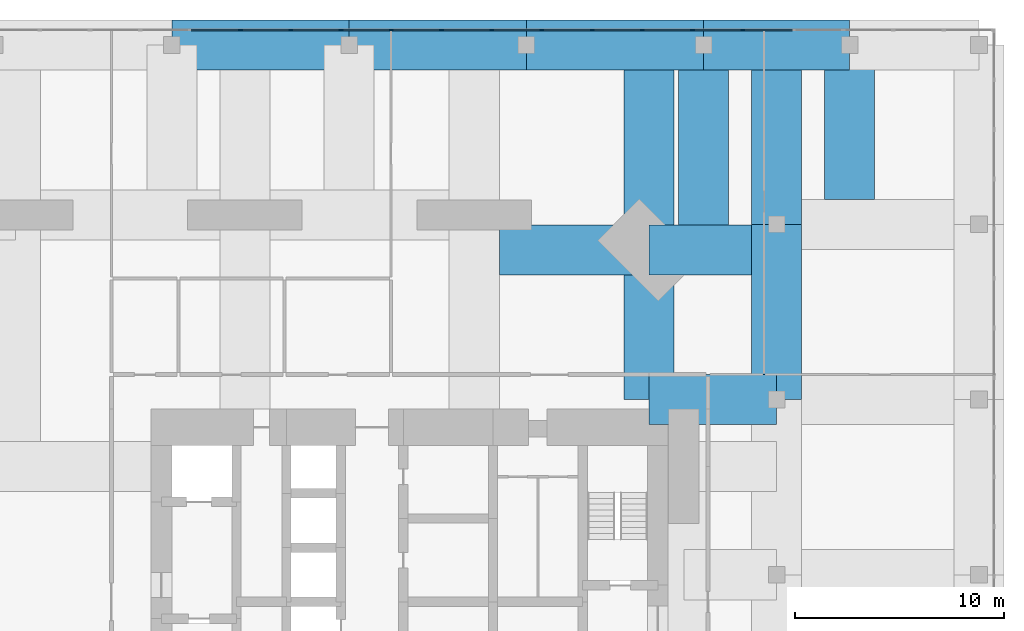
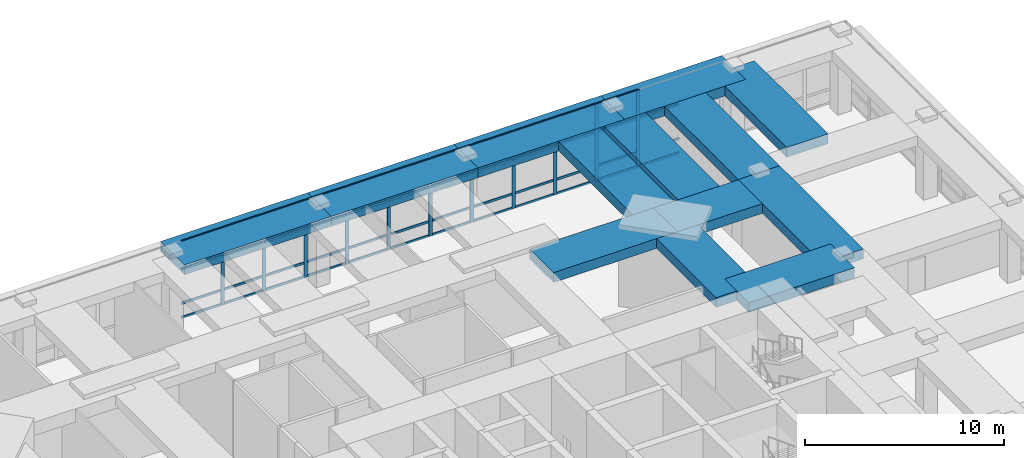
# One storey, part 9 of 22: 58 members, 13 beams, 1 element without a shape of its own.
"""IFC4 building model written with IfcOpenShell, lengths in metres."""

from ifc_helpers import new_model, si_unit, direction, frame, origin, origin_2d, place, context, subcontext, project, spatial, rectangle, extrude, material, material_profile, profile_set, type_object, element, aggregate, save


model = new_model("IFC4")

# Units and contexts
model_context = context("Model", 3, precision=1e-05, world=origin(), true_north=direction((0.0, 1.0)))
body_context = subcontext(model_context, "Body", "Model", "MODEL_VIEW")
ifc_project = project(units=[si_unit("LENGTHUNIT", "METRE"), si_unit("AREAUNIT", "SQUARE_METRE"), si_unit("VOLUMEUNIT", "CUBIC_METRE"), si_unit("PLANEANGLEUNIT", "RADIAN"), si_unit("MASSUNIT", "GRAM", prefix="KILO")], contexts=[model_context])

# Site, building, storey
site_placement = place(None, origin())
site = spatial("IfcSite", under=ifc_project, at=site_placement, CompositionType="ELEMENT")
building_placement = place(site_placement, origin())
building = spatial("IfcBuilding", under=site, at=building_placement, Name="Jalousie Tower", CompositionType="ELEMENT")
storey_placement = place(building_placement, frame((0.0, 0.0, 6.0)))
storey = spatial("IfcBuildingStorey", under=building, at=storey_placement, Name="L01", CompositionType="ELEMENT", Elevation=6.0)

# Curtain wall, members
ifc_material_1 = material(Name="Aluminium curtain wall", Category="aluminium")
curtain_wall_type = type_object("IfcCurtainWallType", Name="PODIUM WINDOW WALL", PredefinedType="USERDEFINED", material=ifc_material_1)
curtain_wall_placement = place(storey_placement, origin())
curtain_wall = element("IfcCurtainWall", 1, at=curtain_wall_placement, inside=storey, type_object=curtain_wall_type, Name="Podium Window Wall L01 21", ObjectType="PODIUM WINDOW WALL", PredefinedType="USERDEFINED")
ifc_material_2 = material(Name="Aluminium mullion", Category="aluminium")
ifc_material_profile_1 = material_profile(ifc_material_2, rectangle(XDim=0.070068359375, YDim=0.199951171875, at=origin_2d()), Name="MULLION 70x200")
ifc_profile_set_1 = profile_set([ifc_material_profile_1], Name="Aluminium mullion")
member_type_1 = type_object("IfcMemberType", Name="PODIUM WINDOW WALL MULLION", PredefinedType="MULLION", material=ifc_profile_set_1)
member_1_placement = place(storey_placement, frame((47.873779296875, 45.91259765625, 0.0), z_axis=(0.0, 0.0, 1.0), x_axis=(0.0, -1.0, 0.0)))
member_1 = element("IfcMember", 2, at=member_1_placement, type_object=member_type_1, Name="CW-P mullion 6", PredefinedType="MULLION", context=body_context, shape_type="SweptSolid", body=[
    extrude(rectangle(XDim=0.070068359375, YDim=0.199951171875, at=origin_2d()), origin(), (0.0, 0.0, 1.0), 4.719970703125),
])
member_2_placement = place(storey_placement, frame((45.466064453125, 45.91259765625, 0.0), z_axis=(0.0, 0.0, 1.0), x_axis=(0.0, -1.0, 0.0)))
member_2 = element("IfcMember", 3, at=member_2_placement, type_object=member_type_1, Name="CW-P mullion 7", PredefinedType="MULLION", context=body_context, shape_type="SweptSolid", body=[
    extrude(rectangle(XDim=0.070068359375, YDim=0.199951171875, at=origin_2d()), origin(), (0.0, 0.0, 1.0), 4.719970703125),
])
member_3_placement = place(storey_placement, frame((43.05810546875, 45.91259765625, 0.0), z_axis=(0.0, 0.0, 1.0), x_axis=(0.0, -1.0, 0.0)))
member_3 = element("IfcMember", 4, at=member_3_placement, type_object=member_type_1, Name="CW-P mullion 8", PredefinedType="MULLION", context=body_context, shape_type="SweptSolid", body=[
    extrude(rectangle(XDim=0.070068359375, YDim=0.199951171875, at=origin_2d()), origin(), (0.0, 0.0, 1.0), 4.719970703125),
])
member_4_placement = place(storey_placement, frame((40.650390625, 45.91259765625, 0.0), z_axis=(0.0, 0.0, 1.0), x_axis=(0.0, -1.0, 0.0)))
member_4 = element("IfcMember", 5, at=member_4_placement, type_object=member_type_1, Name="CW-P mullion 9", PredefinedType="MULLION", context=body_context, shape_type="SweptSolid", body=[
    extrude(rectangle(XDim=0.070068359375, YDim=0.199951171875, at=origin_2d()), origin(), (0.0, 0.0, 1.0), 4.719970703125),
])
member_5_placement = place(storey_placement, frame((38.24267578125, 45.91259765625, 0.0), z_axis=(0.0, 0.0, 1.0), x_axis=(0.0, -1.0, 0.0)))
member_5 = element("IfcMember", 6, at=member_5_placement, type_object=member_type_1, Name="CW-P mullion 10", PredefinedType="MULLION", context=body_context, shape_type="SweptSolid", body=[
    extrude(rectangle(XDim=0.070068359375, YDim=0.199951171875, at=origin_2d()), origin(), (0.0, 0.0, 1.0), 4.719970703125),
])
member_6_placement = place(storey_placement, frame((35.8349609375, 45.91259765625, 0.0), z_axis=(0.0, 0.0, 1.0), x_axis=(0.0, -1.0, 0.0)))
member_6 = element("IfcMember", 7, at=member_6_placement, type_object=member_type_1, Name="CW-P mullion 11", PredefinedType="MULLION", context=body_context, shape_type="SweptSolid", body=[
    extrude(rectangle(XDim=0.070068359375, YDim=0.199951171875, at=origin_2d()), origin(), (0.0, 0.0, 1.0), 4.719970703125),
])
member_7_placement = place(storey_placement, frame((33.42724609375, 45.91259765625, 0.0), z_axis=(0.0, 0.0, 1.0), x_axis=(0.0, -1.0, 0.0)))
member_7 = element("IfcMember", 8, at=member_7_placement, type_object=member_type_1, Name="CW-P mullion 12", PredefinedType="MULLION", context=body_context, shape_type="SweptSolid", body=[
    extrude(rectangle(XDim=0.070068359375, YDim=0.199951171875, at=origin_2d()), origin(), (0.0, 0.0, 1.0), 4.719970703125),
])
member_8_placement = place(storey_placement, frame((31.019287109375, 45.91259765625, 0.0), z_axis=(0.0, 0.0, 1.0), x_axis=(0.0, -1.0, 0.0)))
member_8 = element("IfcMember", 9, at=member_8_placement, type_object=member_type_1, Name="CW-P mullion 13", PredefinedType="MULLION", context=body_context, shape_type="SweptSolid", body=[
    extrude(rectangle(XDim=0.070068359375, YDim=0.199951171875, at=origin_2d()), origin(), (0.0, 0.0, 1.0), 4.719970703125),
])
member_9_placement = place(storey_placement, frame((28.611572265625, 45.91259765625, 0.0), z_axis=(0.0, 0.0, 1.0), x_axis=(0.0, -1.0, 0.0)))
member_9 = element("IfcMember", 10, at=member_9_placement, type_object=member_type_1, Name="CW-P mullion 14", PredefinedType="MULLION", context=body_context, shape_type="SweptSolid", body=[
    extrude(rectangle(XDim=0.070068359375, YDim=0.199951171875, at=origin_2d()), origin(), (0.0, 0.0, 1.0), 4.719970703125),
])
member_10_placement = place(storey_placement, frame((26.203857421875, 45.91259765625, 0.0), z_axis=(0.0, 0.0, 1.0), x_axis=(0.0, -1.0, 0.0)))
member_10 = element("IfcMember", 11, at=member_10_placement, type_object=member_type_1, Name="CW-P mullion 15", PredefinedType="MULLION", context=body_context, shape_type="SweptSolid", body=[
    extrude(rectangle(XDim=0.070068359375, YDim=0.199951171875, at=origin_2d()), origin(), (0.0, 0.0, 1.0), 4.719970703125),
])
member_11_placement = place(storey_placement, frame((23.796142578125, 45.91259765625, 0.0), z_axis=(0.0, 0.0, 1.0), x_axis=(0.0, -1.0, 0.0)))
member_11 = element("IfcMember", 12, at=member_11_placement, type_object=member_type_1, Name="CW-P mullion 16", PredefinedType="MULLION", context=body_context, shape_type="SweptSolid", body=[
    extrude(rectangle(XDim=0.070068359375, YDim=0.199951171875, at=origin_2d()), origin(), (0.0, 0.0, 1.0), 4.719970703125),
])
ifc_material_3 = material(Name="Aluminium transom", Category="aluminium")
ifc_material_profile_2 = material_profile(ifc_material_3, rectangle(XDim=0.070068359375, YDim=0.139892578125, at=origin_2d()), Name="TRANSOM 70x140")
ifc_profile_set_2 = profile_set([ifc_material_profile_2], Name="Aluminium transom")
member_type_2 = type_object("IfcMemberType", Name="PODIUM WINDOW WALL TRANSOM", PredefinedType="USERDEFINED", material=ifc_profile_set_2)
member_12_placement = place(storey_placement, frame((50.24658203125, 45.91259765625, 0.034912109375), z_axis=(-1.0, 0.0, 0.0), x_axis=(0.0, -1.0, 0.0)))
member_12 = element("IfcMember", 13, at=member_12_placement, type_object=member_type_2, Name="CW-P transom 5.1", ObjectType="TRANSOM", PredefinedType="USERDEFINED", context=body_context, shape_type="SweptSolid", body=[
    extrude(rectangle(XDim=0.070068359375, YDim=0.139892578125, at=origin_2d()), origin(), (0.0, 0.0, 1.0), 2.337890625),
])
member_13_placement = place(storey_placement, frame((50.24658203125, 45.91259765625, 0.89990234375), z_axis=(-1.0, 0.0, 0.0), x_axis=(0.0, -1.0, 0.0)))
member_13 = element("IfcMember", 14, at=member_13_placement, type_object=member_type_2, Name="CW-P transom 5.2", ObjectType="TRANSOM", PredefinedType="USERDEFINED", context=body_context, shape_type="SweptSolid", body=[
    extrude(rectangle(XDim=0.070068359375, YDim=0.139892578125, at=origin_2d()), origin(), (0.0, 0.0, 1.0), 2.337890625),
])
member_14_placement = place(storey_placement, frame((50.24658203125, 45.91259765625, 3.0), z_axis=(-1.0, 0.0, 0.0), x_axis=(0.0, -1.0, 0.0)))
member_14 = element("IfcMember", 15, at=member_14_placement, type_object=member_type_2, Name="CW-P transom 5.3", ObjectType="TRANSOM", PredefinedType="USERDEFINED", context=body_context, shape_type="SweptSolid", body=[
    extrude(rectangle(XDim=0.070068359375, YDim=0.139892578125, at=origin_2d()), origin(), (0.0, 0.0, 1.0), 2.337890625),
])
member_15_placement = place(storey_placement, frame((47.838623046875, 45.91259765625, 0.034912109375), z_axis=(-1.0, 0.0, 0.0), x_axis=(0.0, -1.0, 0.0)))
member_15 = element("IfcMember", 16, at=member_15_placement, type_object=member_type_2, Name="CW-P transom 6.1", ObjectType="TRANSOM", PredefinedType="USERDEFINED", context=body_context, shape_type="SweptSolid", body=[
    extrude(rectangle(XDim=0.070068359375, YDim=0.139892578125, at=origin_2d()), origin(), (0.0, 0.0, 1.0), 2.337646484375),
])
member_16_placement = place(storey_placement, frame((47.838623046875, 45.91259765625, 0.89990234375), z_axis=(-1.0, 0.0, 0.0), x_axis=(0.0, -1.0, 0.0)))
member_16 = element("IfcMember", 17, at=member_16_placement, type_object=member_type_2, Name="CW-P transom 6.2", ObjectType="TRANSOM", PredefinedType="USERDEFINED", context=body_context, shape_type="SweptSolid", body=[
    extrude(rectangle(XDim=0.070068359375, YDim=0.139892578125, at=origin_2d()), origin(), (0.0, 0.0, 1.0), 2.337646484375),
])
member_17_placement = place(storey_placement, frame((47.838623046875, 45.91259765625, 3.0), z_axis=(-1.0, 0.0, 0.0), x_axis=(0.0, -1.0, 0.0)))
member_17 = element("IfcMember", 18, at=member_17_placement, type_object=member_type_2, Name="CW-P transom 6.3", ObjectType="TRANSOM", PredefinedType="USERDEFINED", context=body_context, shape_type="SweptSolid", body=[
    extrude(rectangle(XDim=0.070068359375, YDim=0.139892578125, at=origin_2d()), origin(), (0.0, 0.0, 1.0), 2.337646484375),
])
member_18_placement = place(storey_placement, frame((47.838623046875, 45.91259765625, 4.68505859375), z_axis=(-1.0, 0.0, 0.0), x_axis=(0.0, -1.0, 0.0)))
member_18 = element("IfcMember", 19, at=member_18_placement, type_object=member_type_2, Name="CW-P transom 6.4", ObjectType="TRANSOM", PredefinedType="USERDEFINED", context=body_context, shape_type="SweptSolid", body=[
    extrude(rectangle(XDim=0.070068359375, YDim=0.139892578125, at=origin_2d()), origin(), (0.0, 0.0, 1.0), 2.337646484375),
])
member_19_placement = place(storey_placement, frame((45.430908203125, 45.91259765625, 0.034912109375), z_axis=(-1.0, 0.0, 0.0), x_axis=(0.0, -1.0, 0.0)))
member_19 = element("IfcMember", 20, at=member_19_placement, type_object=member_type_2, Name="CW-P transom 7.1", ObjectType="TRANSOM", PredefinedType="USERDEFINED", context=body_context, shape_type="SweptSolid", body=[
    extrude(rectangle(XDim=0.070068359375, YDim=0.139892578125, at=origin_2d()), origin(), (0.0, 0.0, 1.0), 2.337646484375),
])
member_20_placement = place(storey_placement, frame((45.430908203125, 45.91259765625, 0.89990234375), z_axis=(-1.0, 0.0, 0.0), x_axis=(0.0, -1.0, 0.0)))
member_20 = element("IfcMember", 21, at=member_20_placement, type_object=member_type_2, Name="CW-P transom 7.2", ObjectType="TRANSOM", PredefinedType="USERDEFINED", context=body_context, shape_type="SweptSolid", body=[
    extrude(rectangle(XDim=0.070068359375, YDim=0.139892578125, at=origin_2d()), origin(), (0.0, 0.0, 1.0), 2.337646484375),
])
member_21_placement = place(storey_placement, frame((45.430908203125, 45.91259765625, 3.0), z_axis=(-1.0, 0.0, 0.0), x_axis=(0.0, -1.0, 0.0)))
member_21 = element("IfcMember", 22, at=member_21_placement, type_object=member_type_2, Name="CW-P transom 7.3", ObjectType="TRANSOM", PredefinedType="USERDEFINED", context=body_context, shape_type="SweptSolid", body=[
    extrude(rectangle(XDim=0.070068359375, YDim=0.139892578125, at=origin_2d()), origin(), (0.0, 0.0, 1.0), 2.337646484375),
])
member_22_placement = place(storey_placement, frame((45.430908203125, 45.91259765625, 4.68505859375), z_axis=(-1.0, 0.0, 0.0), x_axis=(0.0, -1.0, 0.0)))
member_22 = element("IfcMember", 23, at=member_22_placement, type_object=member_type_2, Name="CW-P transom 7.4", ObjectType="TRANSOM", PredefinedType="USERDEFINED", context=body_context, shape_type="SweptSolid", body=[
    extrude(rectangle(XDim=0.070068359375, YDim=0.139892578125, at=origin_2d()), origin(), (0.0, 0.0, 1.0), 2.337646484375),
])
member_23_placement = place(storey_placement, frame((43.023193359375, 45.91259765625, 0.034912109375), z_axis=(-1.0, 0.0, 0.0), x_axis=(0.0, -1.0, 0.0)))
member_23 = element("IfcMember", 24, at=member_23_placement, type_object=member_type_2, Name="CW-P transom 8.1", ObjectType="TRANSOM", PredefinedType="USERDEFINED", context=body_context, shape_type="SweptSolid", body=[
    extrude(rectangle(XDim=0.070068359375, YDim=0.139892578125, at=origin_2d()), origin(), (0.0, 0.0, 1.0), 2.337646484375),
])
member_24_placement = place(storey_placement, frame((43.023193359375, 45.91259765625, 0.89990234375), z_axis=(-1.0, 0.0, 0.0), x_axis=(0.0, -1.0, 0.0)))
member_24 = element("IfcMember", 25, at=member_24_placement, type_object=member_type_2, Name="CW-P transom 8.2", ObjectType="TRANSOM", PredefinedType="USERDEFINED", context=body_context, shape_type="SweptSolid", body=[
    extrude(rectangle(XDim=0.070068359375, YDim=0.139892578125, at=origin_2d()), origin(), (0.0, 0.0, 1.0), 2.337646484375),
])
member_25_placement = place(storey_placement, frame((43.023193359375, 45.91259765625, 3.0), z_axis=(-1.0, 0.0, 0.0), x_axis=(0.0, -1.0, 0.0)))
member_25 = element("IfcMember", 26, at=member_25_placement, type_object=member_type_2, Name="CW-P transom 8.3", ObjectType="TRANSOM", PredefinedType="USERDEFINED", context=body_context, shape_type="SweptSolid", body=[
    extrude(rectangle(XDim=0.070068359375, YDim=0.139892578125, at=origin_2d()), origin(), (0.0, 0.0, 1.0), 2.337646484375),
])
member_26_placement = place(storey_placement, frame((43.023193359375, 45.91259765625, 4.68505859375), z_axis=(-1.0, 0.0, 0.0), x_axis=(0.0, -1.0, 0.0)))
member_26 = element("IfcMember", 27, at=member_26_placement, type_object=member_type_2, Name="CW-P transom 8.4", ObjectType="TRANSOM", PredefinedType="USERDEFINED", context=body_context, shape_type="SweptSolid", body=[
    extrude(rectangle(XDim=0.070068359375, YDim=0.139892578125, at=origin_2d()), origin(), (0.0, 0.0, 1.0), 2.337646484375),
])
member_27_placement = place(storey_placement, frame((40.615478515625, 45.91259765625, 0.034912109375), z_axis=(-1.0, 0.0, 0.0), x_axis=(0.0, -1.0, 0.0)))
member_27 = element("IfcMember", 28, at=member_27_placement, type_object=member_type_2, Name="CW-P transom 9.1", ObjectType="TRANSOM", PredefinedType="USERDEFINED", context=body_context, shape_type="SweptSolid", body=[
    extrude(rectangle(XDim=0.070068359375, YDim=0.139892578125, at=origin_2d()), origin(), (0.0, 0.0, 1.0), 2.337890625),
])
member_28_placement = place(storey_placement, frame((40.615478515625, 45.91259765625, 0.89990234375), z_axis=(-1.0, 0.0, 0.0), x_axis=(0.0, -1.0, 0.0)))
member_28 = element("IfcMember", 29, at=member_28_placement, type_object=member_type_2, Name="CW-P transom 9.2", ObjectType="TRANSOM", PredefinedType="USERDEFINED", context=body_context, shape_type="SweptSolid", body=[
    extrude(rectangle(XDim=0.070068359375, YDim=0.139892578125, at=origin_2d()), origin(), (0.0, 0.0, 1.0), 2.337890625),
])
member_29_placement = place(storey_placement, frame((40.615478515625, 45.91259765625, 3.0), z_axis=(-1.0, 0.0, 0.0), x_axis=(0.0, -1.0, 0.0)))
member_29 = element("IfcMember", 30, at=member_29_placement, type_object=member_type_2, Name="CW-P transom 9.3", ObjectType="TRANSOM", PredefinedType="USERDEFINED", context=body_context, shape_type="SweptSolid", body=[
    extrude(rectangle(XDim=0.070068359375, YDim=0.139892578125, at=origin_2d()), origin(), (0.0, 0.0, 1.0), 2.337890625),
])
member_30_placement = place(storey_placement, frame((40.615478515625, 45.91259765625, 4.68505859375), z_axis=(-1.0, 0.0, 0.0), x_axis=(0.0, -1.0, 0.0)))
member_30 = element("IfcMember", 31, at=member_30_placement, type_object=member_type_2, Name="CW-P transom 9.4", ObjectType="TRANSOM", PredefinedType="USERDEFINED", context=body_context, shape_type="SweptSolid", body=[
    extrude(rectangle(XDim=0.070068359375, YDim=0.139892578125, at=origin_2d()), origin(), (0.0, 0.0, 1.0), 2.337890625),
])
member_31_placement = place(storey_placement, frame((38.207763671875, 45.91259765625, 0.034912109375), z_axis=(-1.0, 0.0, 0.0), x_axis=(0.0, -1.0, 0.0)))
member_31 = element("IfcMember", 32, at=member_31_placement, type_object=member_type_2, Name="CW-P transom 10.1", ObjectType="TRANSOM", PredefinedType="USERDEFINED", context=body_context, shape_type="SweptSolid", body=[
    extrude(rectangle(XDim=0.070068359375, YDim=0.139892578125, at=origin_2d()), origin(), (0.0, 0.0, 1.0), 2.337890625),
])
member_32_placement = place(storey_placement, frame((38.207763671875, 45.91259765625, 0.89990234375), z_axis=(-1.0, 0.0, 0.0), x_axis=(0.0, -1.0, 0.0)))
member_32 = element("IfcMember", 33, at=member_32_placement, type_object=member_type_2, Name="CW-P transom 10.2", ObjectType="TRANSOM", PredefinedType="USERDEFINED", context=body_context, shape_type="SweptSolid", body=[
    extrude(rectangle(XDim=0.070068359375, YDim=0.139892578125, at=origin_2d()), origin(), (0.0, 0.0, 1.0), 2.337890625),
])
member_33_placement = place(storey_placement, frame((38.207763671875, 45.91259765625, 3.0), z_axis=(-1.0, 0.0, 0.0), x_axis=(0.0, -1.0, 0.0)))
member_33 = element("IfcMember", 34, at=member_33_placement, type_object=member_type_2, Name="CW-P transom 10.3", ObjectType="TRANSOM", PredefinedType="USERDEFINED", context=body_context, shape_type="SweptSolid", body=[
    extrude(rectangle(XDim=0.070068359375, YDim=0.139892578125, at=origin_2d()), origin(), (0.0, 0.0, 1.0), 2.337890625),
])
member_34_placement = place(storey_placement, frame((38.207763671875, 45.91259765625, 4.68505859375), z_axis=(-1.0, 0.0, 0.0), x_axis=(0.0, -1.0, 0.0)))
member_34 = element("IfcMember", 35, at=member_34_placement, type_object=member_type_2, Name="CW-P transom 10.4", ObjectType="TRANSOM", PredefinedType="USERDEFINED", context=body_context, shape_type="SweptSolid", body=[
    extrude(rectangle(XDim=0.070068359375, YDim=0.139892578125, at=origin_2d()), origin(), (0.0, 0.0, 1.0), 2.337890625),
])
member_35_placement = place(storey_placement, frame((35.7998046875, 45.91259765625, 0.034912109375), z_axis=(-1.0, 0.0, 0.0), x_axis=(0.0, -1.0, 0.0)))
member_35 = element("IfcMember", 36, at=member_35_placement, type_object=member_type_2, Name="CW-P transom 11.1", ObjectType="TRANSOM", PredefinedType="USERDEFINED", context=body_context, shape_type="SweptSolid", body=[
    extrude(rectangle(XDim=0.070068359375, YDim=0.139892578125, at=origin_2d()), origin(), (0.0, 0.0, 1.0), 2.337646484375),
])
member_36_placement = place(storey_placement, frame((35.7998046875, 45.91259765625, 0.89990234375), z_axis=(-1.0, 0.0, 0.0), x_axis=(0.0, -1.0, 0.0)))
member_36 = element("IfcMember", 37, at=member_36_placement, type_object=member_type_2, Name="CW-P transom 11.2", ObjectType="TRANSOM", PredefinedType="USERDEFINED", context=body_context, shape_type="SweptSolid", body=[
    extrude(rectangle(XDim=0.070068359375, YDim=0.139892578125, at=origin_2d()), origin(), (0.0, 0.0, 1.0), 2.337646484375),
])
member_37_placement = place(storey_placement, frame((35.7998046875, 45.91259765625, 3.0), z_axis=(-1.0, 0.0, 0.0), x_axis=(0.0, -1.0, 0.0)))
member_37 = element("IfcMember", 38, at=member_37_placement, type_object=member_type_2, Name="CW-P transom 11.3", ObjectType="TRANSOM", PredefinedType="USERDEFINED", context=body_context, shape_type="SweptSolid", body=[
    extrude(rectangle(XDim=0.070068359375, YDim=0.139892578125, at=origin_2d()), origin(), (0.0, 0.0, 1.0), 2.337646484375),
])
member_38_placement = place(storey_placement, frame((35.7998046875, 45.91259765625, 4.68505859375), z_axis=(-1.0, 0.0, 0.0), x_axis=(0.0, -1.0, 0.0)))
member_38 = element("IfcMember", 39, at=member_38_placement, type_object=member_type_2, Name="CW-P transom 11.4", ObjectType="TRANSOM", PredefinedType="USERDEFINED", context=body_context, shape_type="SweptSolid", body=[
    extrude(rectangle(XDim=0.070068359375, YDim=0.139892578125, at=origin_2d()), origin(), (0.0, 0.0, 1.0), 2.337646484375),
])
member_39_placement = place(storey_placement, frame((33.39208984375, 45.91259765625, 0.034912109375), z_axis=(-1.0, 0.0, 0.0), x_axis=(0.0, -1.0, 0.0)))
member_39 = element("IfcMember", 40, at=member_39_placement, type_object=member_type_2, Name="CW-P transom 12.1", ObjectType="TRANSOM", PredefinedType="USERDEFINED", context=body_context, shape_type="SweptSolid", body=[
    extrude(rectangle(XDim=0.070068359375, YDim=0.139892578125, at=origin_2d()), origin(), (0.0, 0.0, 1.0), 2.337646484375),
])
member_40_placement = place(storey_placement, frame((33.39208984375, 45.91259765625, 0.89990234375), z_axis=(-1.0, 0.0, 0.0), x_axis=(0.0, -1.0, 0.0)))
member_40 = element("IfcMember", 41, at=member_40_placement, type_object=member_type_2, Name="CW-P transom 12.2", ObjectType="TRANSOM", PredefinedType="USERDEFINED", context=body_context, shape_type="SweptSolid", body=[
    extrude(rectangle(XDim=0.070068359375, YDim=0.139892578125, at=origin_2d()), origin(), (0.0, 0.0, 1.0), 2.337646484375),
])
member_41_placement = place(storey_placement, frame((33.39208984375, 45.91259765625, 3.0), z_axis=(-1.0, 0.0, 0.0), x_axis=(0.0, -1.0, 0.0)))
member_41 = element("IfcMember", 42, at=member_41_placement, type_object=member_type_2, Name="CW-P transom 12.3", ObjectType="TRANSOM", PredefinedType="USERDEFINED", context=body_context, shape_type="SweptSolid", body=[
    extrude(rectangle(XDim=0.070068359375, YDim=0.139892578125, at=origin_2d()), origin(), (0.0, 0.0, 1.0), 2.337646484375),
])
member_42_placement = place(storey_placement, frame((33.39208984375, 45.91259765625, 4.68505859375), z_axis=(-1.0, 0.0, 0.0), x_axis=(0.0, -1.0, 0.0)))
member_42 = element("IfcMember", 43, at=member_42_placement, type_object=member_type_2, Name="CW-P transom 12.4", ObjectType="TRANSOM", PredefinedType="USERDEFINED", context=body_context, shape_type="SweptSolid", body=[
    extrude(rectangle(XDim=0.070068359375, YDim=0.139892578125, at=origin_2d()), origin(), (0.0, 0.0, 1.0), 2.337646484375),
])
member_43_placement = place(storey_placement, frame((30.984375, 45.91259765625, 0.034912109375), z_axis=(-1.0, 0.0, 0.0), x_axis=(0.0, -1.0, 0.0)))
member_43 = element("IfcMember", 44, at=member_43_placement, type_object=member_type_2, Name="CW-P transom 13.1", ObjectType="TRANSOM", PredefinedType="USERDEFINED", context=body_context, shape_type="SweptSolid", body=[
    extrude(rectangle(XDim=0.070068359375, YDim=0.139892578125, at=origin_2d()), origin(), (0.0, 0.0, 1.0), 2.337646484375),
])
member_44_placement = place(storey_placement, frame((30.984375, 45.91259765625, 0.89990234375), z_axis=(-1.0, 0.0, 0.0), x_axis=(0.0, -1.0, 0.0)))
member_44 = element("IfcMember", 45, at=member_44_placement, type_object=member_type_2, Name="CW-P transom 13.2", ObjectType="TRANSOM", PredefinedType="USERDEFINED", context=body_context, shape_type="SweptSolid", body=[
    extrude(rectangle(XDim=0.070068359375, YDim=0.139892578125, at=origin_2d()), origin(), (0.0, 0.0, 1.0), 2.337646484375),
])
member_45_placement = place(storey_placement, frame((30.984375, 45.91259765625, 3.0), z_axis=(-1.0, 0.0, 0.0), x_axis=(0.0, -1.0, 0.0)))
member_45 = element("IfcMember", 46, at=member_45_placement, type_object=member_type_2, Name="CW-P transom 13.3", ObjectType="TRANSOM", PredefinedType="USERDEFINED", context=body_context, shape_type="SweptSolid", body=[
    extrude(rectangle(XDim=0.070068359375, YDim=0.139892578125, at=origin_2d()), origin(), (0.0, 0.0, 1.0), 2.337646484375),
])
member_46_placement = place(storey_placement, frame((30.984375, 45.91259765625, 4.68505859375), z_axis=(-1.0, 0.0, 0.0), x_axis=(0.0, -1.0, 0.0)))
member_46 = element("IfcMember", 47, at=member_46_placement, type_object=member_type_2, Name="CW-P transom 13.4", ObjectType="TRANSOM", PredefinedType="USERDEFINED", context=body_context, shape_type="SweptSolid", body=[
    extrude(rectangle(XDim=0.070068359375, YDim=0.139892578125, at=origin_2d()), origin(), (0.0, 0.0, 1.0), 2.337646484375),
])
member_47_placement = place(storey_placement, frame((28.57666015625, 45.91259765625, 0.034912109375), z_axis=(-1.0, 0.0, 0.0), x_axis=(0.0, -1.0, 0.0)))
member_47 = element("IfcMember", 48, at=member_47_placement, type_object=member_type_2, Name="CW-P transom 14.1", ObjectType="TRANSOM", PredefinedType="USERDEFINED", context=body_context, shape_type="SweptSolid", body=[
    extrude(rectangle(XDim=0.070068359375, YDim=0.139892578125, at=origin_2d()), origin(), (0.0, 0.0, 1.0), 2.337890625),
])
member_48_placement = place(storey_placement, frame((28.57666015625, 45.91259765625, 0.89990234375), z_axis=(-1.0, 0.0, 0.0), x_axis=(0.0, -1.0, 0.0)))
member_48 = element("IfcMember", 49, at=member_48_placement, type_object=member_type_2, Name="CW-P transom 14.2", ObjectType="TRANSOM", PredefinedType="USERDEFINED", context=body_context, shape_type="SweptSolid", body=[
    extrude(rectangle(XDim=0.070068359375, YDim=0.139892578125, at=origin_2d()), origin(), (0.0, 0.0, 1.0), 2.337890625),
])
member_49_placement = place(storey_placement, frame((28.57666015625, 45.91259765625, 3.0), z_axis=(-1.0, 0.0, 0.0), x_axis=(0.0, -1.0, 0.0)))
member_49 = element("IfcMember", 50, at=member_49_placement, type_object=member_type_2, Name="CW-P transom 14.3", ObjectType="TRANSOM", PredefinedType="USERDEFINED", context=body_context, shape_type="SweptSolid", body=[
    extrude(rectangle(XDim=0.070068359375, YDim=0.139892578125, at=origin_2d()), origin(), (0.0, 0.0, 1.0), 2.337890625),
])
member_50_placement = place(storey_placement, frame((28.57666015625, 45.91259765625, 4.68505859375), z_axis=(-1.0, 0.0, 0.0), x_axis=(0.0, -1.0, 0.0)))
member_50 = element("IfcMember", 51, at=member_50_placement, type_object=member_type_2, Name="CW-P transom 14.4", ObjectType="TRANSOM", PredefinedType="USERDEFINED", context=body_context, shape_type="SweptSolid", body=[
    extrude(rectangle(XDim=0.070068359375, YDim=0.139892578125, at=origin_2d()), origin(), (0.0, 0.0, 1.0), 2.337890625),
])
member_51_placement = place(storey_placement, frame((26.1689453125, 45.91259765625, 0.034912109375), z_axis=(-1.0, 0.0, 0.0), x_axis=(0.0, -1.0, 0.0)))
member_51 = element("IfcMember", 52, at=member_51_placement, type_object=member_type_2, Name="CW-P transom 15.1", ObjectType="TRANSOM", PredefinedType="USERDEFINED", context=body_context, shape_type="SweptSolid", body=[
    extrude(rectangle(XDim=0.070068359375, YDim=0.139892578125, at=origin_2d()), origin(), (0.0, 0.0, 1.0), 2.337890625),
])
member_52_placement = place(storey_placement, frame((26.1689453125, 45.91259765625, 0.89990234375), z_axis=(-1.0, 0.0, 0.0), x_axis=(0.0, -1.0, 0.0)))
member_52 = element("IfcMember", 53, at=member_52_placement, type_object=member_type_2, Name="CW-P transom 15.2", ObjectType="TRANSOM", PredefinedType="USERDEFINED", context=body_context, shape_type="SweptSolid", body=[
    extrude(rectangle(XDim=0.070068359375, YDim=0.139892578125, at=origin_2d()), origin(), (0.0, 0.0, 1.0), 2.337890625),
])
member_53_placement = place(storey_placement, frame((26.1689453125, 45.91259765625, 3.0), z_axis=(-1.0, 0.0, 0.0), x_axis=(0.0, -1.0, 0.0)))
member_53 = element("IfcMember", 54, at=member_53_placement, type_object=member_type_2, Name="CW-P transom 15.3", ObjectType="TRANSOM", PredefinedType="USERDEFINED", context=body_context, shape_type="SweptSolid", body=[
    extrude(rectangle(XDim=0.070068359375, YDim=0.139892578125, at=origin_2d()), origin(), (0.0, 0.0, 1.0), 2.337890625),
])
member_54_placement = place(storey_placement, frame((26.1689453125, 45.91259765625, 4.68505859375), z_axis=(-1.0, 0.0, 0.0), x_axis=(0.0, -1.0, 0.0)))
member_54 = element("IfcMember", 55, at=member_54_placement, type_object=member_type_2, Name="CW-P transom 15.4", ObjectType="TRANSOM", PredefinedType="USERDEFINED", context=body_context, shape_type="SweptSolid", body=[
    extrude(rectangle(XDim=0.070068359375, YDim=0.139892578125, at=origin_2d()), origin(), (0.0, 0.0, 1.0), 2.337890625),
])
member_55_placement = place(storey_placement, frame((23.76123046875, 45.91259765625, 0.034912109375), z_axis=(-1.0, 0.0, 0.0), x_axis=(0.0, -1.0, 0.0)))
member_55 = element("IfcMember", 56, at=member_55_placement, type_object=member_type_2, Name="CW-P transom 16.1", ObjectType="TRANSOM", PredefinedType="USERDEFINED", context=body_context, shape_type="SweptSolid", body=[
    extrude(rectangle(XDim=0.070068359375, YDim=0.139892578125, at=origin_2d()), origin(), (0.0, 0.0, 1.0), 2.337890625),
])
member_56_placement = place(storey_placement, frame((23.76123046875, 45.91259765625, 0.89990234375), z_axis=(-1.0, 0.0, 0.0), x_axis=(0.0, -1.0, 0.0)))
member_56 = element("IfcMember", 57, at=member_56_placement, type_object=member_type_2, Name="CW-P transom 16.2", ObjectType="TRANSOM", PredefinedType="USERDEFINED", context=body_context, shape_type="SweptSolid", body=[
    extrude(rectangle(XDim=0.070068359375, YDim=0.139892578125, at=origin_2d()), origin(), (0.0, 0.0, 1.0), 2.337890625),
])
member_57_placement = place(storey_placement, frame((23.76123046875, 45.91259765625, 3.0), z_axis=(-1.0, 0.0, 0.0), x_axis=(0.0, -1.0, 0.0)))
member_57 = element("IfcMember", 58, at=member_57_placement, type_object=member_type_2, Name="CW-P transom 16.3", ObjectType="TRANSOM", PredefinedType="USERDEFINED", context=body_context, shape_type="SweptSolid", body=[
    extrude(rectangle(XDim=0.070068359375, YDim=0.139892578125, at=origin_2d()), origin(), (0.0, 0.0, 1.0), 2.337890625),
])
member_58_placement = place(storey_placement, frame((23.76123046875, 45.91259765625, 4.68505859375), z_axis=(-1.0, 0.0, 0.0), x_axis=(0.0, -1.0, 0.0)))
member_58 = element("IfcMember", 59, at=member_58_placement, type_object=member_type_2, Name="CW-P transom 16.4", ObjectType="TRANSOM", PredefinedType="USERDEFINED", context=body_context, shape_type="SweptSolid", body=[
    extrude(rectangle(XDim=0.070068359375, YDim=0.139892578125, at=origin_2d()), origin(), (0.0, 0.0, 1.0), 2.337890625),
])
aggregate(curtain_wall, [member_1, member_2, member_3, member_4, member_5, member_6, member_7, member_8, member_9, member_10, member_11, member_12, member_13, member_14, member_15, member_16, member_17, member_18, member_19, member_20, member_21, member_22, member_23, member_24, member_25, member_26, member_27, member_28, member_29, member_30, member_31, member_32, member_33, member_34, member_35, member_36, member_37, member_38, member_39, member_40, member_41, member_42, member_43, member_44, member_45, member_46, member_47, member_48, member_49, member_50, member_51, member_52, member_53, member_54, member_55, member_56, member_57, member_58])

# Beams
ifc_material_4 = material(Name="Concrete f'c 40 MPa", Category="concrete")
ifc_material_profile_3 = material_profile(ifc_material_4, rectangle(XDim=2.39990234375, YDim=0.60009765625, at=origin_2d()), Name="RC 2400x600")
ifc_profile_set_3 = profile_set([ifc_material_profile_3], Name="Concrete f'c 40 MPa")
beam_type = type_object("IfcBeamType", Name="RC BEAM 2400x600", PredefinedType="BEAM", material=ifc_profile_set_3)
for number, where, z_axis, x_axis, name in (
    (60, (20.5, 45.199951171875, 4.419921875), (1.0, 0.0, 0.0), (0.0, 1.0, 0.0), "Floor band beam under L02"),
    (61, (29.0, 45.199951171875, 4.419921875), (1.0, 0.0, 0.0), (0.0, 1.0, 0.0), "Floor band beam under L02"),
    (62, (37.5, 45.199951171875, 4.419921875), (1.0, 0.0, 0.0), (0.0, 1.0, 0.0), "Floor band beam under L02"),
):
    element("IfcBeam", number, at=place(storey_placement, frame(where, z_axis=z_axis, x_axis=x_axis)), inside=storey, type_object=beam_type, Name=name, PredefinedType="BEAM", context=body_context, shape_type="SweptSolid", body=[
        extrude(rectangle(XDim=2.39990234375, YDim=0.60009765625, at=origin_2d()), origin(), (0.0, 0.0, 1.0), 8.5),
    ])
beam_1_placement = place(storey_placement, frame((43.36865234375, 35.36865234375, 4.419921875), z_axis=(0.0, -1.0, 0.0), x_axis=(1.0, 0.0, 0.0)))
element("IfcBeam", 63, at=beam_1_placement, inside=storey, type_object=beam_type, Name="Floor band beam under L02", PredefinedType="BEAM", context=body_context, shape_type="SweptSolid", body=[
    extrude(rectangle(XDim=2.39990234375, YDim=0.60009765625, at=origin_2d()), origin(), (0.0, 0.0, 1.0), 7.168701171875),
])
beam_2_placement = place(storey_placement, frame((46.0, 45.199951171875, 4.419921875), z_axis=(1.0, 0.0, 0.0), x_axis=(0.0, 1.0, 0.0)))
element("IfcBeam", 64, at=beam_2_placement, inside=storey, type_object=beam_type, Name="Floor band beam under L02", PredefinedType="BEAM", context=body_context, shape_type="SweptSolid", body=[
    extrude(rectangle(XDim=2.39990234375, YDim=0.60009765625, at=origin_2d()), origin(), (0.0, 0.0, 1.0), 7.0),
])
beam_3_placement = place(storey_placement, frame((49.5, 28.199951171875, 4.419921875), z_axis=(0.0, 1.0, 0.0), x_axis=(-1.0, 0.0, 0.0)))
element("IfcBeam", 65, at=beam_3_placement, inside=storey, type_object=beam_type, Name="Floor band beam under L02", PredefinedType="BEAM", context=body_context, shape_type="SweptSolid", body=[
    extrude(rectangle(XDim=2.39990234375, YDim=0.60009765625, at=origin_2d()), origin(), (0.0, 0.0, 1.0), 8.400146484375),
])
beam_4_placement = place(storey_placement, frame((43.36865234375, 35.36865234375, 4.419921875), z_axis=(1.0, 0.0, 0.0), x_axis=(0.0, 1.0, 0.0)))
element("IfcBeam", 66, at=beam_4_placement, inside=storey, type_object=beam_type, Name="Floor band beam under L02", PredefinedType="BEAM", context=body_context, shape_type="SweptSolid", body=[
    extrude(rectangle(XDim=2.39990234375, YDim=0.60009765625, at=origin_2d()), origin(), (0.0, 0.0, 1.0), 4.931396484375),
])
beam_5_placement = place(storey_placement, frame((43.36865234375, 35.36865234375, 4.419921875), z_axis=(-1.0, 0.0, 0.0), x_axis=(0.0, -1.0, 0.0)))
element("IfcBeam", 67, at=beam_5_placement, inside=storey, type_object=beam_type, Name="Floor band beam under L02", PredefinedType="BEAM", context=body_context, shape_type="SweptSolid", body=[
    extrude(rectangle(XDim=2.39990234375, YDim=0.60009765625, at=origin_2d()), origin(), (0.0, 0.0, 1.0), 7.168701171875),
])
for number, where, z_axis, x_axis, name in (
    (68, (43.36865234375, 35.36865234375, 4.419921875), (0.0, 1.0, 0.0), (-1.0, 0.0, 0.0), "Floor band beam under L02"),
    (69, (46.0, 45.199951171875, 4.419921875), (0.0, -1.0, 0.0), (1.0, 0.0, 0.0), "Floor band beam under L02"),
):
    element("IfcBeam", number, at=place(storey_placement, frame(where, z_axis=z_axis, x_axis=x_axis)), inside=storey, type_object=beam_type, Name=name, PredefinedType="BEAM", context=body_context, shape_type="SweptSolid", body=[
        extrude(rectangle(XDim=2.39990234375, YDim=0.60009765625, at=origin_2d()), origin(), (0.0, 0.0, 1.0), 8.63134765625),
    ])
beam_6_placement = place(storey_placement, frame((49.5, 28.199951171875, 4.419921875), z_axis=(-1.0, 0.0, 0.0), x_axis=(0.0, -1.0, 0.0)))
element("IfcBeam", 70, at=beam_6_placement, inside=storey, type_object=beam_type, Name="Floor band beam under L02", PredefinedType="BEAM", context=body_context, shape_type="SweptSolid", body=[
    extrude(rectangle(XDim=2.39990234375, YDim=0.60009765625, at=origin_2d()), origin(), (0.0, 0.0, 1.0), 6.13134765625),
])
for number, where, z_axis, x_axis, name in (
    (71, (49.5, 36.60009765625, 4.419921875), (0.0, 1.0, 0.0), (-1.0, 0.0, 0.0), "Floor band beam under L02"),
    (72, (53.0, 45.199951171875, 4.419921875), (0.0, -1.0, 0.0), (1.0, 0.0, 0.0), "Floor band beam under L02"),
):
    element("IfcBeam", number, at=place(storey_placement, frame(where, z_axis=z_axis, x_axis=x_axis)), inside=storey, type_object=beam_type, Name=name, PredefinedType="BEAM", context=body_context, shape_type="SweptSolid", body=[
        extrude(rectangle(XDim=2.39990234375, YDim=0.60009765625, at=origin_2d()), origin(), (0.0, 0.0, 1.0), 7.39990234375),
    ])

save(model, "model.ifc")
